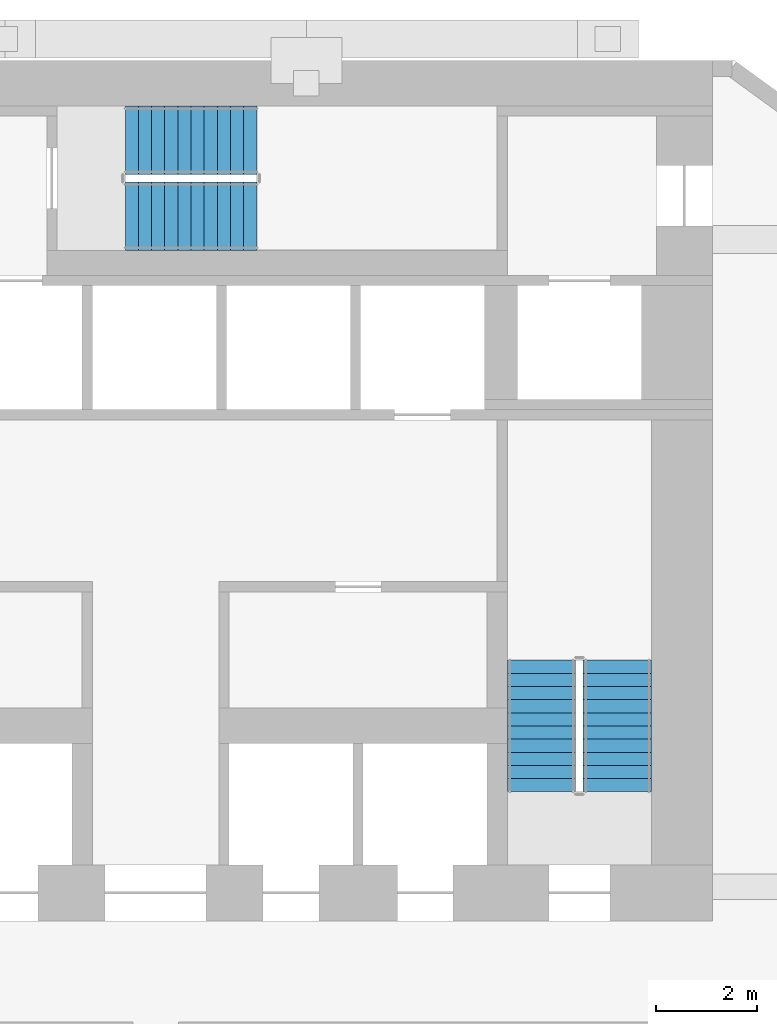
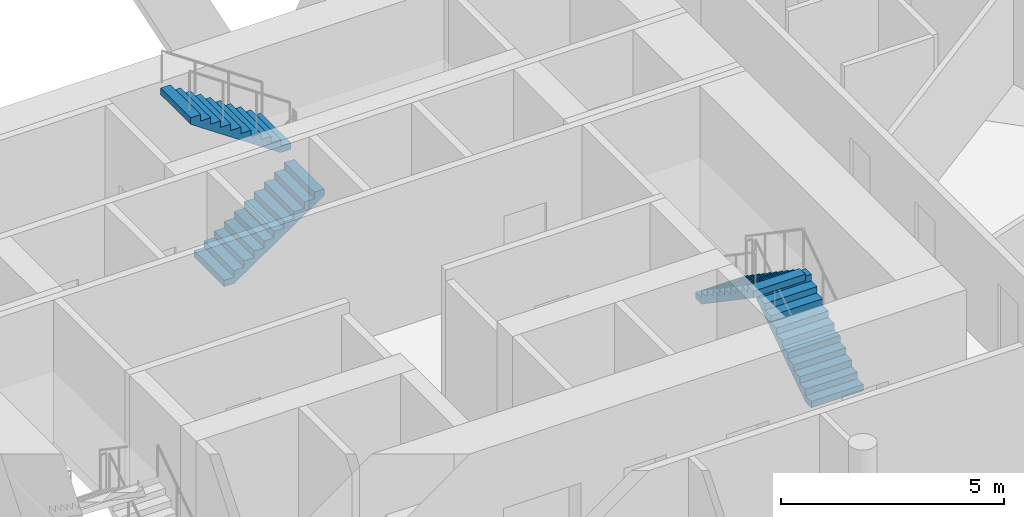
# One storey, part 8 of 10: 4 stair flights, 2 elements without a shape of their own.
"""IFC4 building model written with IfcOpenShell, lengths in metres."""

from ifc_helpers import new_model, si_unit, direction, frame, origin, place, context, subcontext, project, spatial, polyline, outline, extrude, material, layer, layer_set, type_object, element, aggregate, save


model = new_model("IFC4")

# Units and contexts
model_context = context("Model", 3, precision=1e-05, world=origin(), true_north=direction((0.0, 1.0)))
body_context = subcontext(model_context, "Body", "Model", "MODEL_VIEW")
ifc_project = project(units=[si_unit("LENGTHUNIT", "METRE"), si_unit("AREAUNIT", "SQUARE_METRE"), si_unit("VOLUMEUNIT", "CUBIC_METRE"), si_unit("PLANEANGLEUNIT", "RADIAN"), si_unit("MASSUNIT", "GRAM", prefix="KILO")], contexts=[model_context])

# Site, building, storey
site_placement = place(None, origin())
site = spatial("IfcSite", under=ifc_project, at=site_placement, CompositionType="ELEMENT")
building_placement = place(site_placement, origin())
building = spatial("IfcBuilding", under=site, at=building_placement, Name="White Candle Pilgrim Tower", CompositionType="ELEMENT")
storey_placement = place(building_placement, frame((0.0, 0.0, 102.5)))
storey = spatial("IfcBuildingStorey", under=building, at=storey_placement, Name="L22", CompositionType="ELEMENT", Elevation=102.5)

# Stair, stair flights
ifc_material = material(Name="Concrete C40/50", Category="concrete")
stair_type_1 = type_object("IfcStairType", Name="Exit stair 2 flight width 1350 mm", PredefinedType="HALF_TURN_STAIR", material=ifc_material)
stair_1_placement = place(storey_placement, origin())
stair_1 = element("IfcStair", 1, at=stair_1_placement, inside=storey, type_object=stair_type_1, Name="L22 stair 2", PredefinedType="NOTDEFINED")
ifc_layer = layer(ifc_material, 0.14990234375)
ifc_layer_set = layer_set([ifc_layer], Name="Stair flight Concrete C40/50")
stair_flight_type = type_object("IfcStairFlightType", Name="Stair flight Concrete C40/50", PredefinedType="STRAIGHT", material=ifc_layer_set)
stair_flight_1_placement = place(storey_placement, frame((79.125, 73.550048828125, 0.0), z_axis=(0.0, 0.0, 1.0), x_axis=(0.0, 1.0, 0.0)))
stair_flight_1 = element("IfcStairFlight", 2, at=stair_flight_1_placement, type_object=stair_flight_type, Name="ST2 flight 1", NumberOfRisers=11, NumberOfTreads=10, PredefinedType="NOTDEFINED", RiserHeight=0.177272727, TreadLength=0.26, context=body_context, shape_type="SweptSolid", body=[
    extrude(outline(polyline([(0.0, 0.0), (0.0, 0.17724609375), (0.260009765625, 0.17724609375), (0.260009765625, 0.3544921875), (0.52001953125, 0.3544921875), (0.52001953125, 0.53173828125), (0.780029296875, 0.53173828125), (0.780029296875, 0.708984375), (1.0400390625, 0.708984375), (1.0400390625, 0.886474609375), (1.300048828125, 0.886474609375), (1.300048828125, 1.063720703125), (1.56005859375, 1.063720703125), (1.56005859375, 1.240966796875), (1.820068359375, 1.240966796875), (1.820068359375, 1.418212890625), (2.080078125, 1.418212890625), (2.080078125, 1.595458984375), (2.340087890625, 1.595458984375), (2.340087890625, 1.772705078125), (2.60009765625, 1.772705078125), (2.60009765625, 1.949951171875), (2.60009765625, 1.59130859375), (0.26611328125, 0.0), (0.0, 0.0)])), frame((0.0, 0.675048828125, 0.0), z_axis=(0.0, -1.0, 0.0), x_axis=(1.0, 0.0, 0.0)), (0.0, 0.0, 1.0), 1.35009765625),
])
stair_flight_2_placement = place(storey_placement, frame((77.625, 76.14990234375, 1.949951171875), z_axis=(0.0, 0.0, 1.0), x_axis=(0.0, -1.0, 0.0)))
stair_flight_2 = element("IfcStairFlight", 3, at=stair_flight_2_placement, type_object=stair_flight_type, Name="ST2 flight 2", NumberOfRisers=11, NumberOfTreads=10, PredefinedType="NOTDEFINED", RiserHeight=0.177272727, TreadLength=0.26, context=body_context, shape_type="SweptSolid", body=[
    extrude(outline(polyline([(0.0, 0.0), (0.0, 0.17724609375), (0.260009765625, 0.17724609375), (0.260009765625, 0.3544921875), (0.52001953125, 0.3544921875), (0.52001953125, 0.53173828125), (0.780029296875, 0.53173828125), (0.780029296875, 0.708984375), (1.0400390625, 0.708984375), (1.0400390625, 0.886474609375), (1.300048828125, 0.886474609375), (1.300048828125, 1.063720703125), (1.56005859375, 1.063720703125), (1.56005859375, 1.240966796875), (1.820068359375, 1.240966796875), (1.820068359375, 1.418212890625), (2.080078125, 1.418212890625), (2.080078125, 1.595458984375), (2.340087890625, 1.595458984375), (2.340087890625, 1.772705078125), (2.60009765625, 1.772705078125), (2.60009765625, 1.949951171875), (2.60009765625, 1.59130859375), (0.26611328125, 0.0), (0.0, 0.0)])), frame((0.0, 0.675048828125, 0.0), z_axis=(0.0, -1.0, 0.0), x_axis=(1.0, 0.0, 0.0)), (0.0, 0.0, 1.0), 1.35009765625),
])
aggregate(stair_1, [stair_flight_1, stair_flight_2])

stair_type_2 = type_object("IfcStairType", Name="Exit stair 3 flight width 1350 mm", PredefinedType="HALF_TURN_STAIR", material=ifc_material)
stair_2_placement = place(storey_placement, origin())
stair_2 = element("IfcStair", 4, at=stair_2_placement, inside=storey, type_object=stair_type_2, Name="L22 stair 3", PredefinedType="NOTDEFINED")
stair_flight_3_placement = place(storey_placement, frame((69.39990234375, 84.925048828125, 0.0), z_axis=(0.0, 0.0, 1.0), x_axis=(1.0, 0.0, 0.0)))
stair_flight_3 = element("IfcStairFlight", 5, at=stair_flight_3_placement, type_object=stair_flight_type, Name="ST3 flight 1", NumberOfRisers=11, NumberOfTreads=10, PredefinedType="NOTDEFINED", RiserHeight=0.177272727, TreadLength=0.26, context=body_context, shape_type="SweptSolid", body=[
    extrude(outline(polyline([(0.0, 0.0), (0.0, 0.17724609375), (0.260009765625, 0.17724609375), (0.260009765625, 0.3544921875), (0.52001953125, 0.3544921875), (0.52001953125, 0.53173828125), (0.780029296875, 0.53173828125), (0.780029296875, 0.708984375), (1.0400390625, 0.708984375), (1.0400390625, 0.886474609375), (1.300048828125, 0.886474609375), (1.300048828125, 1.063720703125), (1.56005859375, 1.063720703125), (1.56005859375, 1.240966796875), (1.820068359375, 1.240966796875), (1.820068359375, 1.418212890625), (2.080078125, 1.418212890625), (2.080078125, 1.595458984375), (2.340087890625, 1.595458984375), (2.340087890625, 1.772705078125), (2.60009765625, 1.772705078125), (2.60009765625, 1.949951171875), (2.60009765625, 1.59130859375), (0.26611328125, 0.0), (0.0, 0.0)])), frame((0.0, 0.675048828125, 0.0), z_axis=(0.0, -1.0, 0.0), x_axis=(1.0, 0.0, 0.0)), (0.0, 0.0, 1.0), 1.35009765625),
])
stair_flight_4_placement = place(storey_placement, frame((72.0, 86.425048828125, 1.949951171875), z_axis=(0.0, 0.0, 1.0), x_axis=(-1.0, 0.0, 0.0)))
stair_flight_4 = element("IfcStairFlight", 6, at=stair_flight_4_placement, type_object=stair_flight_type, Name="ST3 flight 2", NumberOfRisers=11, NumberOfTreads=10, PredefinedType="NOTDEFINED", RiserHeight=0.177272727, TreadLength=0.26, context=body_context, shape_type="SweptSolid", body=[
    extrude(outline(polyline([(0.0, 0.0), (0.0, 0.17724609375), (0.260009765625, 0.17724609375), (0.260009765625, 0.3544921875), (0.52001953125, 0.3544921875), (0.52001953125, 0.53173828125), (0.780029296875, 0.53173828125), (0.780029296875, 0.708984375), (1.0400390625, 0.708984375), (1.0400390625, 0.886474609375), (1.300048828125, 0.886474609375), (1.300048828125, 1.063720703125), (1.56005859375, 1.063720703125), (1.56005859375, 1.240966796875), (1.820068359375, 1.240966796875), (1.820068359375, 1.418212890625), (2.080078125, 1.418212890625), (2.080078125, 1.595458984375), (2.340087890625, 1.595458984375), (2.340087890625, 1.772705078125), (2.60009765625, 1.772705078125), (2.60009765625, 1.949951171875), (2.60009765625, 1.59130859375), (0.26611328125, 0.0), (0.0, 0.0)])), frame((0.0, 0.675048828125, 0.0), z_axis=(0.0, -1.0, 0.0), x_axis=(1.0, 0.0, 0.0)), (0.0, 0.0, 1.0), 1.35009765625),
])
aggregate(stair_2, [stair_flight_3, stair_flight_4])

save(model, "model.ifc")
